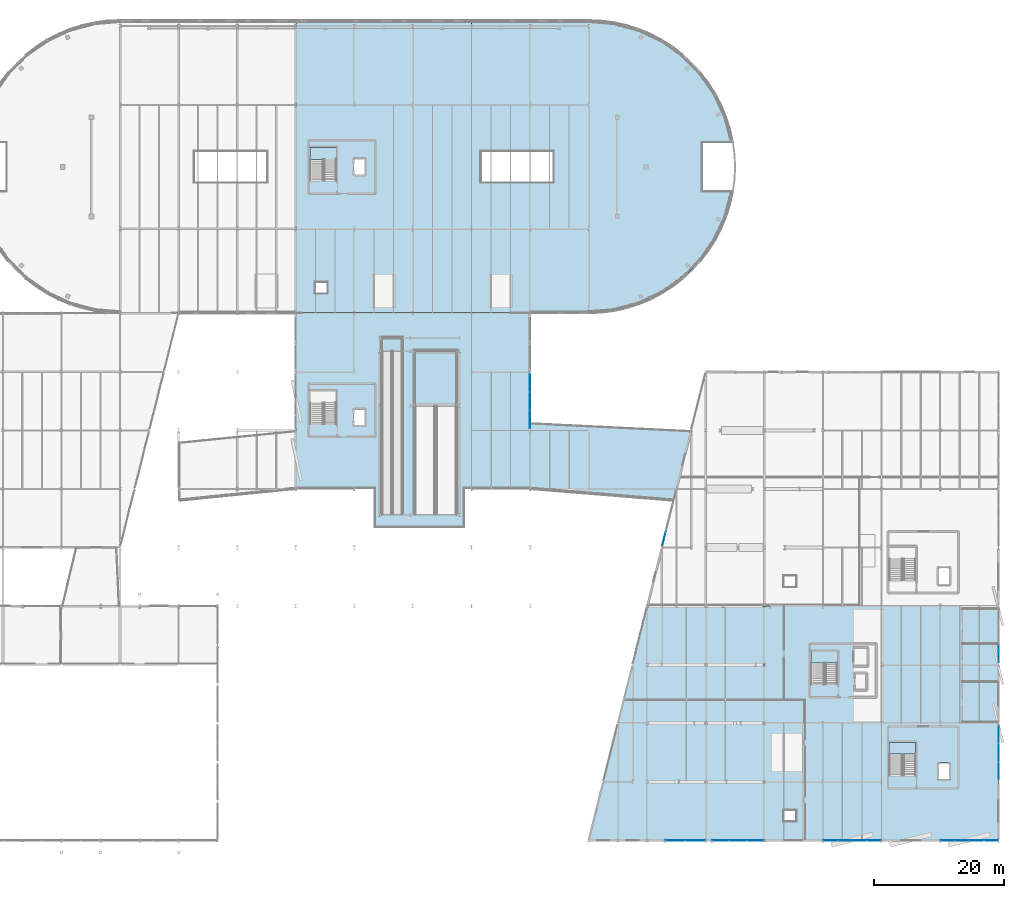
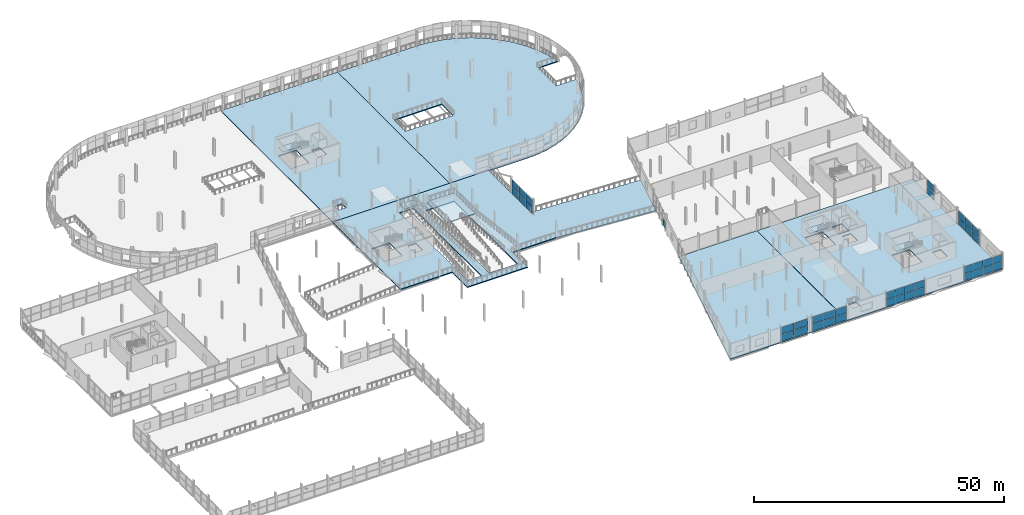
# One storey, part 105 of 135: 41 plates, 10 slabs, 12 elements without a shape of their own.
"""IFC4 building model written with IfcOpenShell, lengths in metres."""

from ifc_helpers import new_model, si_unit, direction, frame, origin, origin_2d, place, context, subcontext, project, spatial, polyline, rectangle, outline, extrude, material, layer, layer_set, type_object, element, aggregate, save


model = new_model("IFC4")

# Units and contexts
model_context = context("Model", 3, precision=1e-05, world=origin(), true_north=direction((0.0, 1.0)))
body_context = subcontext(model_context, "Body", "Model", "MODEL_VIEW")
ifc_project = project(units=[si_unit("LENGTHUNIT", "METRE"), si_unit("AREAUNIT", "SQUARE_METRE"), si_unit("VOLUMEUNIT", "CUBIC_METRE"), si_unit("PLANEANGLEUNIT", "RADIAN"), si_unit("MASSUNIT", "GRAM", prefix="KILO")], contexts=[model_context])

# Site, building, storey
site_placement = place(None, origin())
site = spatial("IfcSite", under=ifc_project, at=site_placement, CompositionType="ELEMENT")
building_placement = place(site_placement, origin())
building = spatial("IfcBuilding", under=site, at=building_placement, Name="Deido Ridge Mobility Hub", CompositionType="ELEMENT")
storey_placement = place(building_placement, frame((0.0, 0.0, 4.199951171875)))
storey = spatial("IfcBuildingStorey", under=building, at=storey_placement, Name="L01", CompositionType="ELEMENT", Elevation=4.199951171875)

# Curtain wall, plates
ifc_material_1 = material(Name="Anodised aluminium EN AW-6063 T6", Category="aluminium")
ifc_layer_1 = layer(ifc_material_1, 0.1650390625, Name="Anodised aluminium EN AW-6063 T6")
ifc_layer_set_1 = layer_set([ifc_layer_1], Name="Anodised aluminium EN AW-6063 T6")
curtain_wall_type_1 = type_object("IfcCurtainWallType", Name="CW-UF-1", PredefinedType="USERDEFINED", material=ifc_layer_set_1)
curtain_wall_1_placement = place(storey_placement, origin())
curtain_wall_1 = element("IfcCurtainWall", 1, at=curtain_wall_1_placement, inside=storey, type_object=curtain_wall_type_1, Name="Unitised curtain wall CW1", ObjectType="UNITISED FACADE", PredefinedType="USERDEFINED")
ifc_material_2 = material(Name="Laminated solar-control low-E glass", Category="glass")
ifc_layer_2 = layer(ifc_material_2, 0.02587890625, Name="Laminated solar-control low-E glass")
ifc_layer_set_2 = layer_set([ifc_layer_2], Name="Laminated solar-control low-E glass")
plate_type_1 = type_object("IfcPlateType", Name="PLT-CWP-26", PredefinedType="CURTAIN_PANEL", material=ifc_layer_set_2)
plate_1_placement = place(storey_placement, frame((154.143310546875, 0.0, 0.050048828125), z_axis=(0.0, 0.0, 1.0), x_axis=(1.0, 0.0, 0.0)))
plate_1 = element("IfcPlate", 2, at=plate_1_placement, type_object=plate_type_1, Name="CW1 panel 1.1", PredefinedType="CURTAIN_PANEL", context=body_context, shape_type="SweptSolid", body=[
    extrude(rectangle(XDim=2.171142578125, YDim=0.02587890625, at=origin_2d()), origin(), (0.0, 0.0, 1.0), 1.72509765625),
])
plate_2_placement = place(storey_placement, frame((154.143310546875, 0.0, 1.824951171875), z_axis=(0.0, 0.0, 1.0), x_axis=(1.0, 0.0, 0.0)))
plate_2 = element("IfcPlate", 3, at=plate_2_placement, type_object=plate_type_1, Name="CW1 panel 1.2", PredefinedType="CURTAIN_PANEL", context=body_context, shape_type="SweptSolid", body=[
    extrude(rectangle(XDim=2.171142578125, YDim=0.02587890625, at=origin_2d()), origin(), (0.0, 0.0, 1.0), 1.72509765625),
])
plate_3_placement = place(storey_placement, frame((156.376953125, 0.0, 0.050048828125), z_axis=(0.0, 0.0, 1.0), x_axis=(1.0, 0.0, 0.0)))
plate_3 = element("IfcPlate", 4, at=plate_3_placement, type_object=plate_type_1, Name="CW1 panel 2.1", PredefinedType="CURTAIN_PANEL", context=body_context, shape_type="SweptSolid", body=[
    extrude(rectangle(XDim=2.196044921875, YDim=0.02587890625, at=origin_2d()), origin(), (0.0, 0.0, 1.0), 1.72509765625),
])
plate_4_placement = place(storey_placement, frame((156.376953125, 0.0, 1.824951171875), z_axis=(0.0, 0.0, 1.0), x_axis=(1.0, 0.0, 0.0)))
plate_4 = element("IfcPlate", 5, at=plate_4_placement, type_object=plate_type_1, Name="CW1 panel 2.2", PredefinedType="CURTAIN_PANEL", context=body_context, shape_type="SweptSolid", body=[
    extrude(rectangle(XDim=2.196044921875, YDim=0.02587890625, at=origin_2d()), origin(), (0.0, 0.0, 1.0), 1.72509765625),
])
plate_5_placement = place(storey_placement, frame((158.623046875, 0.0, 0.050048828125), z_axis=(0.0, 0.0, 1.0), x_axis=(1.0, 0.0, 0.0)))
plate_5 = element("IfcPlate", 6, at=plate_5_placement, type_object=plate_type_1, Name="CW1 panel 3.1", PredefinedType="CURTAIN_PANEL", context=body_context, shape_type="SweptSolid", body=[
    extrude(rectangle(XDim=2.196044921875, YDim=0.02587890625, at=origin_2d()), origin(), (0.0, 0.0, 1.0), 1.72509765625),
])
plate_6_placement = place(storey_placement, frame((158.623046875, 0.0, 1.824951171875), z_axis=(0.0, 0.0, 1.0), x_axis=(1.0, 0.0, 0.0)))
plate_6 = element("IfcPlate", 7, at=plate_6_placement, type_object=plate_type_1, Name="CW1 panel 3.2", PredefinedType="CURTAIN_PANEL", context=body_context, shape_type="SweptSolid", body=[
    extrude(rectangle(XDim=2.196044921875, YDim=0.02587890625, at=origin_2d()), origin(), (0.0, 0.0, 1.0), 1.72509765625),
])
plate_7_placement = place(storey_placement, frame((160.856689453125, 0.0, 0.050048828125), z_axis=(0.0, 0.0, 1.0), x_axis=(1.0, 0.0, 0.0)))
plate_7 = element("IfcPlate", 8, at=plate_7_placement, type_object=plate_type_1, Name="CW1 panel 4.1", PredefinedType="CURTAIN_PANEL", context=body_context, shape_type="SweptSolid", body=[
    extrude(rectangle(XDim=2.171142578125, YDim=0.02587890625, at=origin_2d()), origin(), (0.0, 0.0, 1.0), 1.72509765625),
])
plate_8_placement = place(storey_placement, frame((160.856689453125, 0.0, 1.824951171875), z_axis=(0.0, 0.0, 1.0), x_axis=(1.0, 0.0, 0.0)))
plate_8 = element("IfcPlate", 9, at=plate_8_placement, type_object=plate_type_1, Name="CW1 panel 4.2", PredefinedType="CURTAIN_PANEL", context=body_context, shape_type="SweptSolid", body=[
    extrude(rectangle(XDim=2.171142578125, YDim=0.02587890625, at=origin_2d()), origin(), (0.0, 0.0, 1.0), 1.72509765625),
])
aggregate(curtain_wall_1, [plate_1, plate_2, plate_3, plate_4, plate_5, plate_6, plate_7, plate_8])

ifc_layer_3 = layer(ifc_material_1, 0.195068359375, Name="Anodised aluminium EN AW-6063 T6")
ifc_layer_set_3 = layer_set([ifc_layer_3], Name="Anodised aluminium EN AW-6063 T6")
curtain_wall_type_2 = type_object("IfcCurtainWallType", Name="CW-UF-3", PredefinedType="USERDEFINED", material=ifc_layer_set_3)
curtain_wall_2_placement = place(storey_placement, origin())
curtain_wall_2 = element("IfcCurtainWall", 10, at=curtain_wall_2_placement, inside=storey, type_object=curtain_wall_type_2, Name="Unitised curtain wall CW3", ObjectType="UNITISED FACADE", PredefinedType="USERDEFINED")
ifc_layer_4 = layer(ifc_material_2, 0.031005859375, Name="Laminated solar-control low-E glass")
ifc_layer_set_4 = layer_set([ifc_layer_4], Name="Laminated solar-control low-E glass")
plate_type_2 = type_object("IfcPlateType", Name="PLT-CWP-31", PredefinedType="CURTAIN_PANEL", material=ifc_layer_set_4)
plate_9_placement = place(storey_placement, frame((172.145751953125, 0.0, 0.06005859375), z_axis=(0.0, 0.0, 1.0), x_axis=(1.0, 0.0, 0.0)))
plate_9 = element("IfcPlate", 11, at=plate_9_placement, type_object=plate_type_2, Name="CW3 panel 1.1", PredefinedType="CURTAIN_PANEL", context=body_context, shape_type="SweptSolid", body=[
    extrude(rectangle(XDim=2.15625, YDim=0.031005859375, at=origin_2d()), origin(), (0.0, 0.0, 1.0), 1.7099609375),
])
plate_10_placement = place(storey_placement, frame((172.145751953125, 0.0, 1.830078125), z_axis=(0.0, 0.0, 1.0), x_axis=(1.0, 0.0, 0.0)))
plate_10 = element("IfcPlate", 12, at=plate_10_placement, type_object=plate_type_2, Name="CW3 panel 1.2", PredefinedType="CURTAIN_PANEL", context=body_context, shape_type="SweptSolid", body=[
    extrude(rectangle(XDim=2.15625, YDim=0.031005859375, at=origin_2d()), origin(), (0.0, 0.0, 1.0), 1.7099609375),
])
plate_11_placement = place(storey_placement, frame((174.376953125, 0.0, 0.06005859375), z_axis=(0.0, 0.0, 1.0), x_axis=(1.0, 0.0, 0.0)))
plate_11 = element("IfcPlate", 13, at=plate_11_placement, type_object=plate_type_2, Name="CW3 panel 2.1", PredefinedType="CURTAIN_PANEL", context=body_context, shape_type="SweptSolid", body=[
    extrude(rectangle(XDim=2.18603515625, YDim=0.031005859375, at=origin_2d()), origin(), (0.0, 0.0, 1.0), 1.7099609375),
])
plate_12_placement = place(storey_placement, frame((174.376953125, 0.0, 1.830078125), z_axis=(0.0, 0.0, 1.0), x_axis=(1.0, 0.0, 0.0)))
plate_12 = element("IfcPlate", 14, at=plate_12_placement, type_object=plate_type_2, Name="CW3 panel 2.2", PredefinedType="CURTAIN_PANEL", context=body_context, shape_type="SweptSolid", body=[
    extrude(rectangle(XDim=2.18603515625, YDim=0.031005859375, at=origin_2d()), origin(), (0.0, 0.0, 1.0), 1.7099609375),
])
plate_13_placement = place(storey_placement, frame((176.623046875, 0.0, 0.06005859375), z_axis=(0.0, 0.0, 1.0), x_axis=(1.0, 0.0, 0.0)))
plate_13 = element("IfcPlate", 15, at=plate_13_placement, type_object=plate_type_2, Name="CW3 panel 3.1", PredefinedType="CURTAIN_PANEL", context=body_context, shape_type="SweptSolid", body=[
    extrude(rectangle(XDim=2.18603515625, YDim=0.031005859375, at=origin_2d()), origin(), (0.0, 0.0, 1.0), 1.7099609375),
])
plate_14_placement = place(storey_placement, frame((176.623046875, 0.0, 1.830078125), z_axis=(0.0, 0.0, 1.0), x_axis=(1.0, 0.0, 0.0)))
plate_14 = element("IfcPlate", 16, at=plate_14_placement, type_object=plate_type_2, Name="CW3 panel 3.2", PredefinedType="CURTAIN_PANEL", context=body_context, shape_type="SweptSolid", body=[
    extrude(rectangle(XDim=2.18603515625, YDim=0.031005859375, at=origin_2d()), origin(), (0.0, 0.0, 1.0), 1.7099609375),
])
plate_15_placement = place(storey_placement, frame((178.854248046875, 0.0, 0.06005859375), z_axis=(0.0, 0.0, 1.0), x_axis=(1.0, 0.0, 0.0)))
plate_15 = element("IfcPlate", 17, at=plate_15_placement, type_object=plate_type_2, Name="CW3 panel 4.1", PredefinedType="CURTAIN_PANEL", context=body_context, shape_type="SweptSolid", body=[
    extrude(rectangle(XDim=2.15625, YDim=0.031005859375, at=origin_2d()), origin(), (0.0, 0.0, 1.0), 1.7099609375),
])
plate_16_placement = place(storey_placement, frame((178.854248046875, 0.0, 1.830078125), z_axis=(0.0, 0.0, 1.0), x_axis=(1.0, 0.0, 0.0)))
plate_16 = element("IfcPlate", 18, at=plate_16_placement, type_object=plate_type_2, Name="CW3 panel 4.2", PredefinedType="CURTAIN_PANEL", context=body_context, shape_type="SweptSolid", body=[
    extrude(rectangle(XDim=2.15625, YDim=0.031005859375, at=origin_2d()), origin(), (0.0, 0.0, 1.0), 1.7099609375),
])
aggregate(curtain_wall_2, [plate_9, plate_10, plate_11, plate_12, plate_13, plate_14, plate_15, plate_16])

# Curtain wall, plate
ifc_layer_5 = layer(ifc_material_1, 0.2099609375, Name="Anodised aluminium EN AW-6063 T6")
ifc_layer_set_5 = layer_set([ifc_layer_5], Name="Anodised aluminium EN AW-6063 T6")
curtain_wall_type_3 = type_object("IfcCurtainWallType", Name="CW-UF-4", PredefinedType="USERDEFINED", material=ifc_layer_set_5)
curtain_wall_3_placement = place(storey_placement, origin())
curtain_wall_3 = element("IfcCurtainWall", 19, at=curtain_wall_3_placement, inside=storey, type_object=curtain_wall_type_3, Name="Unitised curtain wall CW4", ObjectType="UNITISED FACADE", PredefinedType="USERDEFINED")
plate_17_placement = place(storey_placement, frame((128.5732421875, 46.29296875, 0.06005859375), z_axis=(0.0, 0.0, 1.0), x_axis=(0.242530310632, 0.970143828731, 0.0)))
plate_17 = element("IfcPlate", 20, at=plate_17_placement, type_object=plate_type_2, Name="CW4 panel 1.1", PredefinedType="CURTAIN_PANEL", context=body_context, shape_type="SweptSolid", body=[
    extrude(rectangle(XDim=2.123779296875, YDim=0.031005859375, at=origin_2d()), origin(), (0.0, 0.0, 1.0), 1.570068359375),
])
aggregate(curtain_wall_3, [plate_17])

# Curtain wall, plates
ifc_layer_6 = layer(ifc_material_1, 0.22509765625, Name="Anodised aluminium EN AW-6063 T6")
ifc_layer_set_6 = layer_set([ifc_layer_6], Name="Anodised aluminium EN AW-6063 T6")
curtain_wall_type_4 = type_object("IfcCurtainWallType", Name="CW-UF-5", PredefinedType="USERDEFINED", material=ifc_layer_set_6)
curtain_wall_4_placement = place(storey_placement, origin())
curtain_wall_4 = element("IfcCurtainWall", 21, at=curtain_wall_4_placement, inside=storey, type_object=curtain_wall_type_4, Name="Unitised curtain wall CW5", ObjectType="UNITISED FACADE", PredefinedType="USERDEFINED")
ifc_layer_7 = layer(ifc_material_2, 0.034912109375, Name="Laminated solar-control low-E glass")
ifc_layer_set_7 = layer_set([ifc_layer_7], Name="Laminated solar-control low-E glass")
plate_type_3 = type_object("IfcPlateType", Name="PLT-CWP-35", PredefinedType="CURTAIN_PANEL", material=ifc_layer_set_7)
plate_18_placement = place(storey_placement, frame((130.29638671875, 0.0, 0.06982421875), z_axis=(0.0, 0.0, 1.0), x_axis=(1.0, 0.0, 0.0)))
plate_18 = element("IfcPlate", 22, at=plate_18_placement, type_object=plate_type_3, Name="CW5 panel 1.1", PredefinedType="CURTAIN_PANEL", context=body_context, shape_type="SweptSolid", body=[
    extrude(rectangle(XDim=3.037353515625, YDim=0.034912109375, at=origin_2d()), origin(), (0.0, 0.0, 1.0), 1.695068359375),
])
plate_19_placement = place(storey_placement, frame((130.29638671875, 0.0, 1.8349609375), z_axis=(0.0, 0.0, 1.0), x_axis=(1.0, 0.0, 0.0)))
plate_19 = element("IfcPlate", 23, at=plate_19_placement, type_object=plate_type_3, Name="CW5 panel 1.2", PredefinedType="CURTAIN_PANEL", context=body_context, shape_type="SweptSolid", body=[
    extrude(rectangle(XDim=3.037353515625, YDim=0.034912109375, at=origin_2d()), origin(), (0.0, 0.0, 1.0), 1.695068359375),
])
plate_20_placement = place(storey_placement, frame((133.403564453125, 0.0, 0.06982421875), z_axis=(0.0, 0.0, 1.0), x_axis=(1.0, 0.0, 0.0)))
plate_20 = element("IfcPlate", 24, at=plate_20_placement, type_object=plate_type_3, Name="CW5 panel 2.1", PredefinedType="CURTAIN_PANEL", context=body_context, shape_type="SweptSolid", body=[
    extrude(rectangle(XDim=3.037353515625, YDim=0.034912109375, at=origin_2d()), origin(), (0.0, 0.0, 1.0), 1.695068359375),
])
plate_21_placement = place(storey_placement, frame((133.403564453125, 0.0, 1.8349609375), z_axis=(0.0, 0.0, 1.0), x_axis=(1.0, 0.0, 0.0)))
plate_21 = element("IfcPlate", 25, at=plate_21_placement, type_object=plate_type_3, Name="CW5 panel 2.2", PredefinedType="CURTAIN_PANEL", context=body_context, shape_type="SweptSolid", body=[
    extrude(rectangle(XDim=3.037353515625, YDim=0.034912109375, at=origin_2d()), origin(), (0.0, 0.0, 1.0), 1.695068359375),
])
aggregate(curtain_wall_4, [plate_18, plate_19, plate_20, plate_21])

curtain_wall_5_placement = place(storey_placement, origin())
curtain_wall_5 = element("IfcCurtainWall", 26, at=curtain_wall_5_placement, inside=storey, type_object=curtain_wall_type_4, Name="Unitised curtain wall CW5", ObjectType="UNITISED FACADE", PredefinedType="USERDEFINED")
plate_22_placement = place(storey_placement, frame((180.0, 10.717529296875, 0.06982421875), z_axis=(0.0, 0.0, 1.0), x_axis=(0.0, 1.0, 0.0)))
plate_22 = element("IfcPlate", 27, at=plate_22_placement, type_object=plate_type_3, Name="CW5 panel 1.1", PredefinedType="CURTAIN_PANEL", context=body_context, shape_type="SweptSolid", body=[
    extrude(rectangle(XDim=2.695068359375, YDim=0.034912109375, at=origin_2d()), origin(), (0.0, 0.0, 1.0), 1.695068359375),
])
plate_23_placement = place(storey_placement, frame((180.0, 10.717529296875, 1.8349609375), z_axis=(0.0, 0.0, 1.0), x_axis=(0.0, 1.0, 0.0)))
plate_23 = element("IfcPlate", 28, at=plate_23_placement, type_object=plate_type_3, Name="CW5 panel 1.2", PredefinedType="CURTAIN_PANEL", context=body_context, shape_type="SweptSolid", body=[
    extrude(rectangle(XDim=2.695068359375, YDim=0.034912109375, at=origin_2d()), origin(), (0.0, 0.0, 1.0), 1.695068359375),
])
plate_24_placement = place(storey_placement, frame((180.0, 13.5, 0.06982421875), z_axis=(0.0, 0.0, 1.0), x_axis=(0.0, 1.0, 0.0)))
plate_24 = element("IfcPlate", 29, at=plate_24_placement, type_object=plate_type_3, Name="CW5 panel 2.1", PredefinedType="CURTAIN_PANEL", context=body_context, shape_type="SweptSolid", body=[
    extrude(rectangle(XDim=2.72998046875, YDim=0.034912109375, at=origin_2d()), origin(), (0.0, 0.0, 1.0), 1.695068359375),
])
plate_25_placement = place(storey_placement, frame((180.0, 13.5, 1.8349609375), z_axis=(0.0, 0.0, 1.0), x_axis=(0.0, 1.0, 0.0)))
plate_25 = element("IfcPlate", 30, at=plate_25_placement, type_object=plate_type_3, Name="CW5 panel 2.2", PredefinedType="CURTAIN_PANEL", context=body_context, shape_type="SweptSolid", body=[
    extrude(rectangle(XDim=2.72998046875, YDim=0.034912109375, at=origin_2d()), origin(), (0.0, 0.0, 1.0), 1.695068359375),
])
plate_26_placement = place(storey_placement, frame((180.0, 16.282470703125, 0.06982421875), z_axis=(0.0, 0.0, 1.0), x_axis=(0.0, 1.0, 0.0)))
plate_26 = element("IfcPlate", 31, at=plate_26_placement, type_object=plate_type_3, Name="CW5 panel 3.1", PredefinedType="CURTAIN_PANEL", context=body_context, shape_type="SweptSolid", body=[
    extrude(rectangle(XDim=2.695068359375, YDim=0.034912109375, at=origin_2d()), origin(), (0.0, 0.0, 1.0), 1.695068359375),
])
plate_27_placement = place(storey_placement, frame((180.0, 16.282470703125, 1.8349609375), z_axis=(0.0, 0.0, 1.0), x_axis=(0.0, 1.0, 0.0)))
plate_27 = element("IfcPlate", 32, at=plate_27_placement, type_object=plate_type_3, Name="CW5 panel 3.2", PredefinedType="CURTAIN_PANEL", context=body_context, shape_type="SweptSolid", body=[
    extrude(rectangle(XDim=2.695068359375, YDim=0.034912109375, at=origin_2d()), origin(), (0.0, 0.0, 1.0), 1.695068359375),
])
aggregate(curtain_wall_5, [plate_22, plate_23, plate_24, plate_25, plate_26, plate_27])

curtain_wall_6_placement = place(storey_placement, origin())
curtain_wall_6 = element("IfcCurtainWall", 33, at=curtain_wall_6_placement, inside=storey, type_object=curtain_wall_type_4, Name="Unitised curtain wall CW5", ObjectType="UNITISED FACADE", PredefinedType="USERDEFINED")
ifc_layer_8 = layer(ifc_material_2, 0.0390625, Name="Laminated solar-control low-E glass")
ifc_layer_set_8 = layer_set([ifc_layer_8], Name="Laminated solar-control low-E glass")
plate_type_4 = type_object("IfcPlateType", Name="PLT-CWP-39", PredefinedType="CURTAIN_PANEL", material=ifc_layer_set_8)
plate_28_placement = place(storey_placement, frame((108.0, 64.686767578125, 0.080078125), z_axis=(0.0, 0.0, 1.0), x_axis=(0.0, 1.0, 0.0)))
plate_28 = element("IfcPlate", 34, at=plate_28_placement, type_object=plate_type_4, Name="CW5 panel 1.1", PredefinedType="CURTAIN_PANEL", context=body_context, shape_type="SweptSolid", body=[
    extrude(rectangle(XDim=2.71337890625, YDim=0.0390625, at=origin_2d()), origin(), (0.0, 0.0, 1.0), 1.679931640625),
])
plate_29_placement = place(storey_placement, frame((108.0, 64.686767578125, 1.83984375), z_axis=(0.0, 0.0, 1.0), x_axis=(0.0, 1.0, 0.0)))
plate_29 = element("IfcPlate", 35, at=plate_29_placement, type_object=plate_type_4, Name="CW5 panel 1.2", PredefinedType="CURTAIN_PANEL", context=body_context, shape_type="SweptSolid", body=[
    extrude(rectangle(XDim=2.71337890625, YDim=0.0390625, at=origin_2d()), origin(), (0.0, 0.0, 1.0), 1.679931640625),
])
plate_30_placement = place(storey_placement, frame((108.0, 67.5, 0.080078125), z_axis=(0.0, 0.0, 1.0), x_axis=(0.0, 1.0, 0.0)))
plate_30 = element("IfcPlate", 36, at=plate_30_placement, type_object=plate_type_4, Name="CW5 panel 2.1", PredefinedType="CURTAIN_PANEL", context=body_context, shape_type="SweptSolid", body=[
    extrude(rectangle(XDim=2.75341796875, YDim=0.0390625, at=origin_2d()), origin(), (0.0, 0.0, 1.0), 1.679931640625),
])
plate_31_placement = place(storey_placement, frame((108.0, 67.5, 1.83984375), z_axis=(0.0, 0.0, 1.0), x_axis=(0.0, 1.0, 0.0)))
plate_31 = element("IfcPlate", 37, at=plate_31_placement, type_object=plate_type_4, Name="CW5 panel 2.2", PredefinedType="CURTAIN_PANEL", context=body_context, shape_type="SweptSolid", body=[
    extrude(rectangle(XDim=2.75341796875, YDim=0.0390625, at=origin_2d()), origin(), (0.0, 0.0, 1.0), 1.679931640625),
])
plate_32_placement = place(storey_placement, frame((108.0, 70.313232421875, 0.080078125), z_axis=(0.0, 0.0, 1.0), x_axis=(0.0, 1.0, 0.0)))
plate_32 = element("IfcPlate", 38, at=plate_32_placement, type_object=plate_type_4, Name="CW5 panel 3.1", PredefinedType="CURTAIN_PANEL", context=body_context, shape_type="SweptSolid", body=[
    extrude(rectangle(XDim=2.71337890625, YDim=0.0390625, at=origin_2d()), origin(), (0.0, 0.0, 1.0), 1.679931640625),
])
plate_33_placement = place(storey_placement, frame((108.0, 70.313232421875, 1.83984375), z_axis=(0.0, 0.0, 1.0), x_axis=(0.0, 1.0, 0.0)))
plate_33 = element("IfcPlate", 39, at=plate_33_placement, type_object=plate_type_4, Name="CW5 panel 3.2", PredefinedType="CURTAIN_PANEL", context=body_context, shape_type="SweptSolid", body=[
    extrude(rectangle(XDim=2.71337890625, YDim=0.0390625, at=origin_2d()), origin(), (0.0, 0.0, 1.0), 1.679931640625),
])
aggregate(curtain_wall_6, [plate_28, plate_29, plate_30, plate_31, plate_32, plate_33])

ifc_layer_9 = layer(ifc_material_1, 0.2548828125, Name="Anodised aluminium EN AW-6063 T6")
ifc_layer_set_9 = layer_set([ifc_layer_9], Name="Anodised aluminium EN AW-6063 T6")
curtain_wall_type_5 = type_object("IfcCurtainWallType", Name="CW-UF-7", PredefinedType="USERDEFINED", material=ifc_layer_set_9)
curtain_wall_7_placement = place(storey_placement, origin())
curtain_wall_7 = element("IfcCurtainWall", 40, at=curtain_wall_7_placement, inside=storey, type_object=curtain_wall_type_5, Name="Unitised curtain wall CW7", ObjectType="UNITISED FACADE", PredefinedType="USERDEFINED")
plate_34_placement = place(storey_placement, frame((137.27490234375, 0.0, 0.080078125), z_axis=(0.0, 0.0, 1.0), x_axis=(1.0, 0.0, 0.0)))
plate_34 = element("IfcPlate", 41, at=plate_34_placement, type_object=plate_type_4, Name="CW7 panel 1.1", PredefinedType="CURTAIN_PANEL", context=body_context, shape_type="SweptSolid", body=[
    extrude(rectangle(XDim=2.574462890625, YDim=0.0390625, at=origin_2d()), origin(), (0.0, 0.0, 1.0), 1.679931640625),
])
plate_35_placement = place(storey_placement, frame((137.27490234375, 0.0, 1.83984375), z_axis=(0.0, 0.0, 1.0), x_axis=(1.0, 0.0, 0.0)))
plate_35 = element("IfcPlate", 42, at=plate_35_placement, type_object=plate_type_4, Name="CW7 panel 1.2", PredefinedType="CURTAIN_PANEL", context=body_context, shape_type="SweptSolid", body=[
    extrude(rectangle(XDim=2.574462890625, YDim=0.0390625, at=origin_2d()), origin(), (0.0, 0.0, 1.0), 1.679931640625),
])
plate_36_placement = place(storey_placement, frame((139.949462890625, 0.0, 0.080078125), z_axis=(0.0, 0.0, 1.0), x_axis=(1.0, 0.0, 0.0)))
plate_36 = element("IfcPlate", 43, at=plate_36_placement, type_object=plate_type_4, Name="CW7 panel 2.1", PredefinedType="CURTAIN_PANEL", context=body_context, shape_type="SweptSolid", body=[
    extrude(rectangle(XDim=2.614501953125, YDim=0.0390625, at=origin_2d()), origin(), (0.0, 0.0, 1.0), 1.679931640625),
])
plate_37_placement = place(storey_placement, frame((139.949462890625, 0.0, 1.83984375), z_axis=(0.0, 0.0, 1.0), x_axis=(1.0, 0.0, 0.0)))
plate_37 = element("IfcPlate", 44, at=plate_37_placement, type_object=plate_type_4, Name="CW7 panel 2.2", PredefinedType="CURTAIN_PANEL", context=body_context, shape_type="SweptSolid", body=[
    extrude(rectangle(XDim=2.614501953125, YDim=0.0390625, at=origin_2d()), origin(), (0.0, 0.0, 1.0), 1.679931640625),
])
plate_38_placement = place(storey_placement, frame((142.6240234375, 0.0, 0.080078125), z_axis=(0.0, 0.0, 1.0), x_axis=(1.0, 0.0, 0.0)))
plate_38 = element("IfcPlate", 45, at=plate_38_placement, type_object=plate_type_4, Name="CW7 panel 3.1", PredefinedType="CURTAIN_PANEL", context=body_context, shape_type="SweptSolid", body=[
    extrude(rectangle(XDim=2.574462890625, YDim=0.0390625, at=origin_2d()), origin(), (0.0, 0.0, 1.0), 1.679931640625),
])
plate_39_placement = place(storey_placement, frame((142.6240234375, 0.0, 1.83984375), z_axis=(0.0, 0.0, 1.0), x_axis=(1.0, 0.0, 0.0)))
plate_39 = element("IfcPlate", 46, at=plate_39_placement, type_object=plate_type_4, Name="CW7 panel 3.2", PredefinedType="CURTAIN_PANEL", context=body_context, shape_type="SweptSolid", body=[
    extrude(rectangle(XDim=2.574462890625, YDim=0.0390625, at=origin_2d()), origin(), (0.0, 0.0, 1.0), 1.679931640625),
])
aggregate(curtain_wall_7, [plate_34, plate_35, plate_36, plate_37, plate_38, plate_39])

curtain_wall_8_placement = place(storey_placement, origin())
curtain_wall_8 = element("IfcCurtainWall", 47, at=curtain_wall_8_placement, inside=storey, type_object=curtain_wall_type_5, Name="Unitised curtain wall CW7", ObjectType="UNITISED FACADE", PredefinedType="USERDEFINED")
plate_40_placement = place(storey_placement, frame((180.0, 28.719970703125, 0.080078125), z_axis=(0.0, 0.0, 1.0), x_axis=(0.0, 1.0, 0.0)))
plate_40 = element("IfcPlate", 48, at=plate_40_placement, type_object=plate_type_4, Name="CW7 panel 1.1", PredefinedType="CURTAIN_PANEL", context=body_context, shape_type="SweptSolid", body=[
    extrude(rectangle(XDim=2.679931640625, YDim=0.0390625, at=origin_2d()), origin(), (0.0, 0.0, 1.0), 1.679931640625),
])
plate_41_placement = place(storey_placement, frame((180.0, 28.719970703125, 1.83984375), z_axis=(0.0, 0.0, 1.0), x_axis=(0.0, 1.0, 0.0)))
plate_41 = element("IfcPlate", 49, at=plate_41_placement, type_object=plate_type_4, Name="CW7 panel 1.2", PredefinedType="CURTAIN_PANEL", context=body_context, shape_type="SweptSolid", body=[
    extrude(rectangle(XDim=2.679931640625, YDim=0.0390625, at=origin_2d()), origin(), (0.0, 0.0, 1.0), 1.679931640625),
])
aggregate(curtain_wall_8, [plate_40, plate_41])

# Slabs
ifc_material_3 = material(Name="Concrete C35/45", Category="concrete")
ifc_layer_10 = layer(ifc_material_3, 0.25, Name="Concrete C35/45")
ifc_layer_set_10 = layer_set([ifc_layer_10], Name="Concrete C35/45")
slab_type_1 = type_object("IfcSlabType", Name="SLB-FLR-250", PredefinedType="FLOOR", material=ifc_layer_set_10)
slab_1_placement = place(storey_placement, frame((0.0, 0.0, -0.25)))
element("IfcSlab", 50, at=slab_1_placement, inside=storey, type_object=slab_type_1, Name="L01 V2 structural deck 26", PredefinedType="FLOOR", context=body_context, shape_type="SweptSolid", body=[
    extrude(outline(polyline([(72.02490234375, 54.0), (72.02490234375, 81.10009765625), (108.0, 81.10009765625), (108.0, 64.199951171875), (132.75, 63.0), (130.050048828125, 52.199951171875), (108.0, 54.0), (98.0, 54.0), (98.0, 48.0), (84.0, 48.0), (84.0, 54.0), (72.02490234375, 54.0)]), holes=[polyline([(85.199951171875, 50.0), (85.199951171875, 77.25), (88.39990234375, 77.25), (88.39990234375, 50.0), (85.199951171875, 50.0)]), polyline([(80.85009765625, 63.64990234375), (80.85009765625, 66.35009765625), (82.75, 66.35009765625), (82.75, 63.64990234375), (80.85009765625, 63.64990234375)]), polyline([(74.139892578125, 64.0), (74.139892578125, 69.10009765625), (78.239990234375, 69.10009765625), (78.239990234375, 64.0), (74.139892578125, 64.0)]), polyline([(90.25, 50.0), (90.25, 75.25), (96.75, 75.25), (96.75, 50.0), (90.25, 50.0)])]), origin(), (0.0, 0.0, 1.0), 0.25),
])
slab_2_placement = place(storey_placement, frame((0.0, 0.0, -0.25)))
element("IfcSlab", 51, at=slab_2_placement, inside=storey, type_object=slab_type_1, Name="L01 V4 structural deck 29", PredefinedType="FLOOR", context=body_context, shape_type="SweptSolid", body=[
    extrude(outline(polyline([(99.0, 125.89990234375), (99.0, 81.10009765625), (72.02490234375, 81.10009765625), (72.02490234375, 125.89990234375), (99.0, 125.89990234375)]), holes=[polyline([(75.02490234375, 84.10009765625), (75.02490234375, 85.699951171875), (76.824951171875, 85.699951171875), (76.824951171875, 84.10009765625), (75.02490234375, 84.10009765625)]), polyline([(80.85009765625, 104.85009765625), (82.75, 104.85009765625), (82.75, 102.14990234375), (80.85009765625, 102.14990234375), (80.85009765625, 104.85009765625)]), polyline([(74.139892578125, 101.39990234375), (74.139892578125, 106.5), (78.239990234375, 106.5), (78.239990234375, 101.39990234375), (74.139892578125, 101.39990234375)])]), origin(), (0.0, 0.0, 1.0), 0.25),
])
slab_3_placement = place(storey_placement, frame((0.0, 0.0, -0.25)))
element("IfcSlab", 52, at=slab_3_placement, inside=storey, type_object=slab_type_1, Name="L01 V4 structural deck 30", PredefinedType="FLOOR", context=body_context, shape_type="SweptSolid", body=[
    extrude(outline(polyline([(137.46337890625, 94.38916015625), (136.39892578125, 92.300048828125), (135.1220703125, 90.33349609375), (133.646484375, 88.511474609375), (131.988525390625, 86.853515625), (130.16650390625, 85.3779296875), (128.199951171875, 84.10107421875), (126.11083984375, 83.03662109375), (123.922119140625, 82.1962890625), (121.6572265625, 81.589599609375), (119.34130859375, 81.22265625), (117.0, 81.10009765625), (99.0, 81.10009765625), (99.0, 125.89990234375), (117.0, 125.89990234375), (119.34130859375, 125.77734375), (121.6572265625, 125.410400390625), (123.922119140625, 124.8037109375), (126.11083984375, 123.96337890625), (128.199951171875, 122.89892578125), (130.16650390625, 121.6220703125), (131.988525390625, 120.146484375), (133.646484375, 118.488525390625), (135.1220703125, 116.66650390625), (136.39892578125, 114.699951171875), (137.46337890625, 112.61083984375), (138.3037109375, 110.422119140625), (138.910400390625, 108.1572265625), (139.070068359375, 107.14990234375), (134.550048828125, 107.14990234375), (134.550048828125, 99.85009765625), (139.070068359375, 99.85009765625), (138.910400390625, 98.8427734375), (138.3037109375, 96.577880859375), (137.46337890625, 94.38916015625)]), holes=[polyline([(100.5, 105.800048828125), (111.5, 105.800048828125), (111.5, 101.199951171875), (100.5, 101.199951171875), (100.5, 105.800048828125)])]), origin(), (0.0, 0.0, 1.0), 0.25),
])
slab_4_placement = place(storey_placement, frame((0.0, 0.0, -0.25)))
element("IfcSlab", 53, at=slab_4_placement, inside=storey, type_object=slab_type_1, Name="L01 V6 structural deck 31", PredefinedType="FLOOR", context=body_context, shape_type="SweptSolid", body=[
    extrude(outline(polyline([(126.0, 36.0), (143.97509765625, 36.0), (143.97509765625, 0.0), (117.0, 0.0), (126.0, 36.0)])), origin(), (0.0, 0.0, 1.0), 0.25),
])
slab_5_placement = place(storey_placement, frame((0.0, 0.0, -0.25)))
element("IfcSlab", 54, at=slab_5_placement, inside=storey, type_object=slab_type_1, Name="L01 V6 structural deck 32", PredefinedType="FLOOR", context=body_context, shape_type="SweptSolid", body=[
    extrude(outline(polyline([(180.0, 36.0), (180.0, 0.0), (144.02490234375, 0.0), (144.02490234375, 36.0), (180.0, 36.0)]), holes=[polyline([(147.02490234375, 3.0), (147.02490234375, 4.60009765625), (148.824951171875, 4.60009765625), (148.824951171875, 3.0), (147.02490234375, 3.0)]), polyline([(170.64990234375, 9.25), (170.64990234375, 11.949951171875), (172.550048828125, 11.949951171875), (172.550048828125, 9.25), (170.64990234375, 9.25)]), polyline([(163.139892578125, 15.10009765625), (167.239990234375, 15.10009765625), (167.239990234375, 10.0), (163.139892578125, 10.0), (163.139892578125, 15.10009765625)]), polyline([(157.85009765625, 25.75), (159.75, 25.75), (159.75, 23.050048828125), (157.85009765625, 23.050048828125), (157.85009765625, 25.75)]), polyline([(151.139892578125, 24.0), (151.139892578125, 29.10009765625), (155.239990234375, 29.10009765625), (155.239990234375, 24.0), (151.139892578125, 24.0)]), polyline([(157.64990234375, 26.75), (157.64990234375, 29.64990234375), (159.949951171875, 29.64990234375), (159.949951171875, 26.75), (157.64990234375, 26.75)])]), origin(), (0.0, 0.0, 1.0), 0.25),
])

# Ramp, slab
ramp_type = type_object("IfcRampType", Name="RAMP-CYC-STRAIGHT", PredefinedType="STRAIGHT_RUN_RAMP", material=ifc_material_3)
ramp_placement = place(storey_placement, origin())
ramp = element("IfcRamp", 55, at=ramp_placement, inside=storey, type_object=ramp_type, Name="Cycle and accessible ramp CR1 L01", PredefinedType="STRAIGHT_RUN_RAMP")
ifc_layer_11 = layer(ifc_material_3, 0.215087890625, Name="Concrete C35/45")
ifc_layer_set_11 = layer_set([ifc_layer_11], Name="Concrete C35/45")
slab_type_2 = type_object("IfcSlabType", Name="SLB-LND-215", PredefinedType="LANDING", material=ifc_layer_set_11)
slab_6_placement = place(storey_placement, frame((0.0, 0.0, 1.885009765625)))
slab_6 = element("IfcSlab", 56, at=slab_6_placement, type_object=slab_type_2, Name="Cycle ramp landing L01", PredefinedType="LANDING", context=body_context, shape_type="SweptSolid", body=[
    extrude(outline(polyline([(85.25, 75.199951171875), (88.35009765625, 75.199951171875), (88.35009765625, 77.199951171875), (85.25, 77.199951171875), (85.25, 75.199951171875)])), origin(), (0.0, 0.0, 1.0), 0.215087890625),
])
aggregate(ramp, [slab_6])

# Slab
ifc_layer_12 = layer(ifc_material_3, 0.22509765625, Name="Concrete C35/45")
ifc_layer_set_12 = layer_set([ifc_layer_12], Name="Concrete C35/45")
slab_type_3 = type_object("IfcSlabType", Name="SLB-LND-225", PredefinedType="LANDING", material=ifc_layer_set_12)
slab_7_placement = place(storey_placement, frame((0.0, 0.0, 1.875)))
element("IfcSlab", 57, at=slab_7_placement, inside=storey, type_object=slab_type_3, Name="Vehicle ramp structural half-landing L01", PredefinedType="LANDING", context=body_context, shape_type="SweptSolid", body=[
    extrude(outline(polyline([(90.300048828125, 66.800048828125), (96.699951171875, 66.800048828125), (96.699951171875, 75.199951171875), (90.300048828125, 75.199951171875), (90.300048828125, 66.800048828125)])), origin(), (0.0, 0.0, 1.0), 0.22509765625),
])

# Stair, slab
stair_type_1 = type_object("IfcStairType", Name="ST-CORE-DBL-1520", PredefinedType="DOUBLE_RETURN_STAIR", material=ifc_material_3)
stair_1_placement = place(storey_placement, origin())
stair_1 = element("IfcStair", 58, at=stair_1_placement, inside=storey, type_object=stair_type_1, Name="Protected exit stair ST5 (L01)", PredefinedType="DOUBLE_RETURN_STAIR")
ifc_layer_13 = layer(ifc_material_3, 0.18994140625, Name="Concrete C35/45")
ifc_layer_set_13 = layer_set([ifc_layer_13], Name="Concrete C35/45")
slab_type_4 = type_object("IfcSlabType", Name="SLB-STLND-190", PredefinedType="LANDING", material=ifc_layer_set_13)
slab_8_placement = place(storey_placement, frame((0.0, 0.0, 1.91015625)))
slab_8 = element("IfcSlab", 59, at=slab_8_placement, type_object=slab_type_4, Name="ST5 landing 1", PredefinedType="LANDING", context=body_context, shape_type="SweptSolid", body=[
    extrude(outline(polyline([(74.14990234375, 104.64990234375), (78.235107421875, 104.64990234375), (78.235107421875, 106.47509765625), (74.14990234375, 106.47509765625), (74.14990234375, 104.64990234375)])), origin(), (0.0, 0.0, 1.0), 0.18994140625),
])
aggregate(stair_1, [slab_8])

stair_type_2 = type_object("IfcStairType", Name="ST-CORE-HALF-1520", PredefinedType="HALF_TURN_STAIR", material=ifc_material_3)
stair_2_placement = place(storey_placement, origin())
stair_2 = element("IfcStair", 60, at=stair_2_placement, inside=storey, type_object=stair_type_2, Name="Protected exit stair ST1 (L01)", PredefinedType="HALF_TURN_STAIR")
ifc_layer_14 = layer(ifc_material_3, 0.199951171875, Name="Concrete C35/45")
ifc_layer_set_14 = layer_set([ifc_layer_14], Name="Concrete C35/45")
slab_type_5 = type_object("IfcSlabType", Name="SLB-STLND-200", PredefinedType="LANDING", material=ifc_layer_set_14)
slab_9_placement = place(storey_placement, frame((0.0, 0.0, 1.900146484375)))
slab_9 = element("IfcSlab", 61, at=slab_9_placement, type_object=slab_type_5, Name="ST1 landing 1", PredefinedType="LANDING", context=body_context, shape_type="SweptSolid", body=[
    extrude(outline(polyline([(163.16259765625, 13.25), (167.235107421875, 13.25), (167.235107421875, 15.074951171875), (163.16259765625, 15.074951171875), (163.16259765625, 13.25)])), origin(), (0.0, 0.0, 1.0), 0.199951171875),
])
aggregate(stair_2, [slab_9])

stair_3_placement = place(storey_placement, origin())
stair_3 = element("IfcStair", 62, at=stair_3_placement, inside=storey, type_object=stair_type_2, Name="Protected exit stair ST3 (L01)", PredefinedType="HALF_TURN_STAIR")
slab_10_placement = place(storey_placement, frame((0.0, 0.0, 1.900146484375)))
slab_10 = element("IfcSlab", 63, at=slab_10_placement, type_object=slab_type_5, Name="ST3 landing 1", PredefinedType="LANDING", context=body_context, shape_type="SweptSolid", body=[
    extrude(outline(polyline([(151.14990234375, 27.25), (155.235107421875, 27.25), (155.235107421875, 29.074951171875), (151.14990234375, 29.074951171875), (151.14990234375, 27.25)])), origin(), (0.0, 0.0, 1.0), 0.199951171875),
])
aggregate(stair_3, [slab_10])

save(model, "model.ifc")
